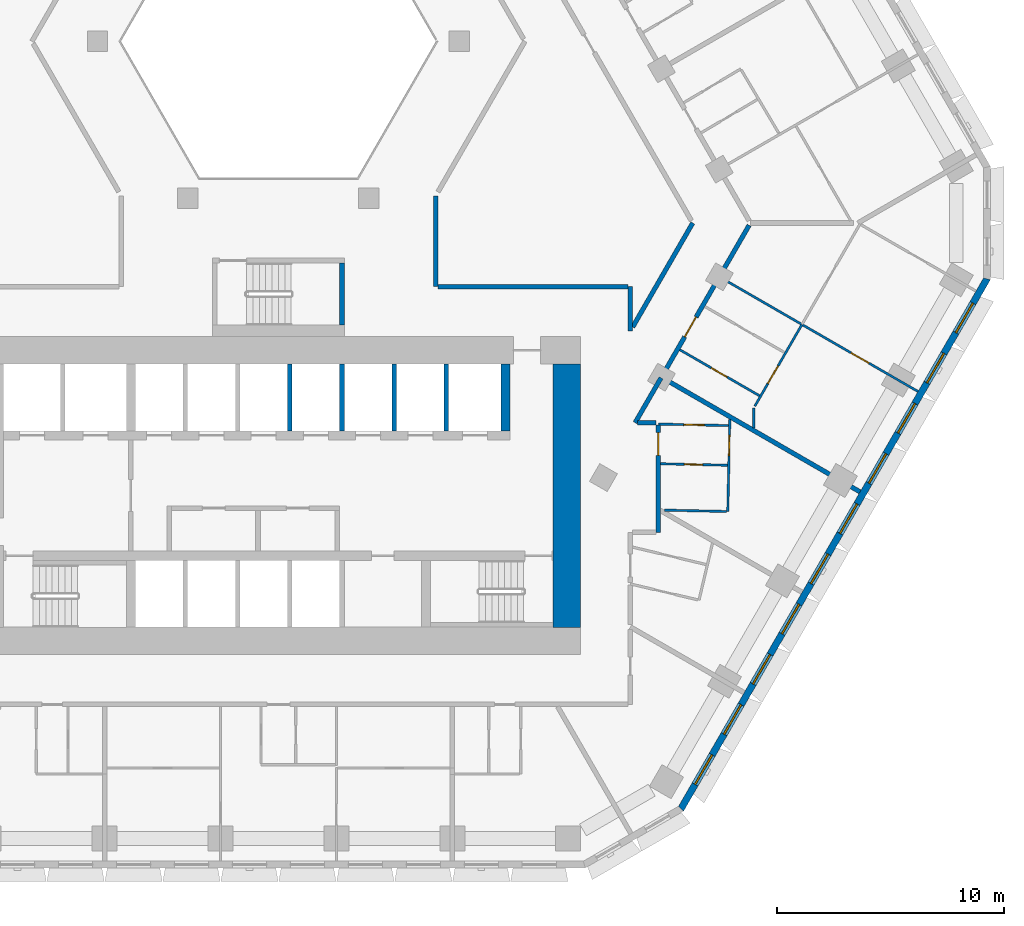
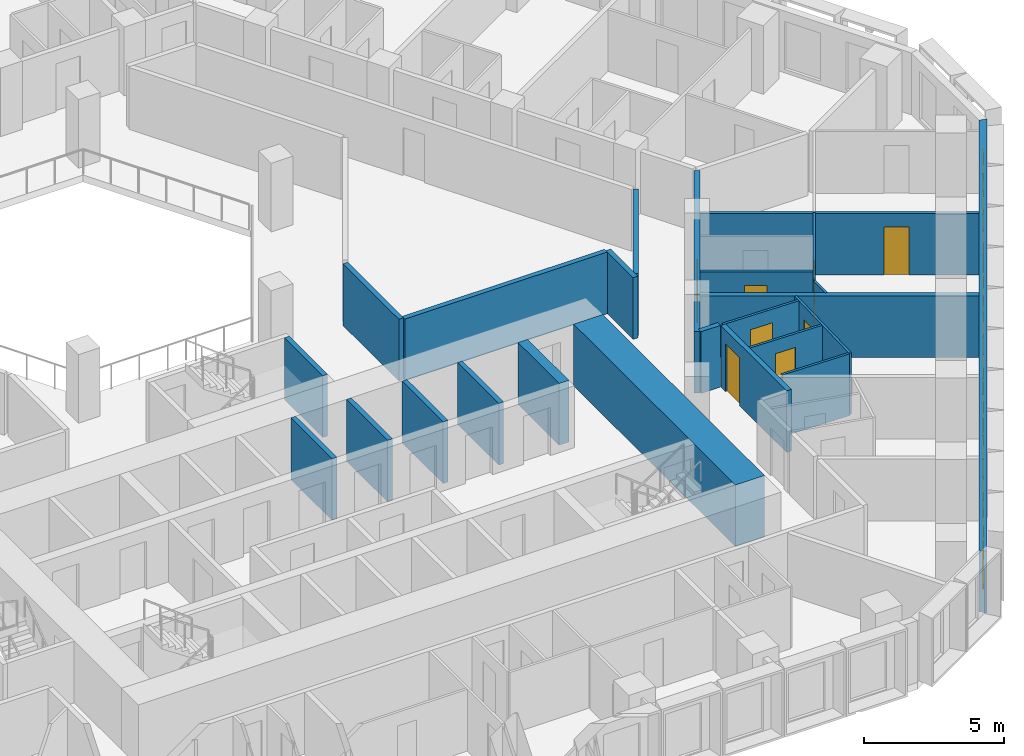
# One storey, part 7 of 21: 25 walls, 10 windows, 8 doors, 18 openings.
"""IFC4 building model written with IfcOpenShell, lengths in metres."""

from ifc_helpers import new_model, si_unit, direction, frame, frame_2d, origin, place, context, subcontext, project, spatial, polyline, rectangle, outline, extrude, material, layer, layer_set, type_object, element, fill, save


model = new_model("IFC4")

# Units and contexts
model_context = context("Model", 3, precision=1e-05, world=origin(), true_north=direction((0.0, 1.0)))
body_context = subcontext(model_context, "Body", "Model", "MODEL_VIEW")
ifc_project = project(units=[si_unit("LENGTHUNIT", "METRE"), si_unit("AREAUNIT", "SQUARE_METRE"), si_unit("VOLUMEUNIT", "CUBIC_METRE"), si_unit("PLANEANGLEUNIT", "RADIAN"), si_unit("MASSUNIT", "GRAM", prefix="KILO")], contexts=[model_context])

# Site, building, storey
site_placement = place(None, origin())
site = spatial("IfcSite", under=ifc_project, at=site_placement, CompositionType="ELEMENT")
building_placement = place(site_placement, origin())
building = spatial("IfcBuilding", under=site, at=building_placement, Name="Beryl Residences", CompositionType="ELEMENT")
storey_placement = place(building_placement, frame((0.0, 0.0, 41.39990234375)))
storey = spatial("IfcBuildingStorey", under=building, at=storey_placement, Name="L12", CompositionType="ELEMENT", Elevation=41.39990234375)

# Wall, openings, windows
ifc_material_1 = material(Name="Composite metal panel with mineral wool insulation")
ifc_layer_1 = layer(ifc_material_1, 0.300048828125)
ifc_layer_set_1 = layer_set([ifc_layer_1], Name="ES1 pale metal composite panel wall 300 mm")
wall_type_1 = type_object("IfcWallType", Name="ES1 pale metal composite panel wall 300 mm", PredefinedType="SOLIDWALL", material=ifc_layer_set_1)
wall_1_placement = place(storey_placement, frame((17.7099609375, -25.824951171875, 0.0), z_axis=(0.0, 0.0, 1.0), x_axis=(0.500001938803, 0.866024284413, 0.0)))
wall_1 = element("IfcWall", 1, at=wall_1_placement, inside=storey, type_object=wall_type_1, Name="ES1 external wall L12 SE", PredefinedType="SOLIDWALL", context=body_context, shape_type="SweptSolid", body=[
    extrude(outline(polyline([(0.0, -0.14990234375), (27.02001953125, -0.14990234375), (26.939697265625, 0.14990234375), (0.080322265625, 0.14990234375), (0.0, -0.14990234375)])), origin(), (0.0, 0.0, 1.0), 2.7001953125),
])
opening_1_placement = place(wall_1_placement, frame((1.277099609375, 0.0, 0.14990234375)))
opening_1 = element("IfcOpeningElement", 2, at=opening_1_placement, cuts=wall_1, Name="Opening W1", PredefinedType="OPENING", context=body_context, shape_type="SweptSolid", body=[
    extrude(rectangle(XDim=1.5, YDim=2.10009765625, at=frame_2d((0.75, 1.050048828125))), frame((0.0, 0.159912109375, 0.0), z_axis=(0.0, -1.0, 0.0), x_axis=(1.0, 0.0, 0.0)), (0.0, 0.0, 1.0), 0.320068359375),
])
opening_2_placement = place(wall_1_placement, frame((3.8291015625, 0.0, 0.14990234375)))
opening_2 = element("IfcOpeningElement", 3, at=opening_2_placement, cuts=wall_1, Name="Opening W1", PredefinedType="OPENING", context=body_context, shape_type="SweptSolid", body=[
    extrude(rectangle(XDim=1.5, YDim=2.10009765625, at=frame_2d((0.75, 1.050048828125))), frame((0.0, 0.159912109375, 0.0), z_axis=(0.0, -1.0, 0.0), x_axis=(1.0, 0.0, 0.0)), (0.0, 0.0, 1.0), 0.320068359375),
])
opening_3_placement = place(wall_1_placement, frame((6.382080078125, 0.0, 0.14990234375)))
opening_3 = element("IfcOpeningElement", 4, at=opening_3_placement, cuts=wall_1, Name="Opening W1", PredefinedType="OPENING", context=body_context, shape_type="SweptSolid", body=[
    extrude(rectangle(XDim=1.5, YDim=2.10009765625, at=frame_2d((0.75, 1.050048828125))), frame((0.0, 0.159912109375, 0.0), z_axis=(0.0, -1.0, 0.0), x_axis=(1.0, 0.0, 0.0)), (0.0, 0.0, 1.0), 0.320068359375),
])
opening_4_placement = place(wall_1_placement, frame((8.93310546875, 0.0, 0.14990234375)))
opening_4 = element("IfcOpeningElement", 5, at=opening_4_placement, cuts=wall_1, Name="Opening W1", PredefinedType="OPENING", context=body_context, shape_type="SweptSolid", body=[
    extrude(rectangle(XDim=1.5, YDim=2.10009765625, at=frame_2d((0.75, 1.050048828125))), frame((0.0, 0.159912109375, 0.0), z_axis=(0.0, -1.0, 0.0), x_axis=(1.0, 0.0, 0.0)), (0.0, 0.0, 1.0), 0.320068359375),
])
opening_5_placement = place(wall_1_placement, frame((11.485107421875, 0.0, 0.14990234375)))
opening_5 = element("IfcOpeningElement", 6, at=opening_5_placement, cuts=wall_1, Name="Opening W1", PredefinedType="OPENING", context=body_context, shape_type="SweptSolid", body=[
    extrude(rectangle(XDim=1.5, YDim=2.10009765625, at=frame_2d((0.75, 1.050048828125))), frame((0.0, 0.159912109375, 0.0), z_axis=(0.0, -1.0, 0.0), x_axis=(1.0, 0.0, 0.0)), (0.0, 0.0, 1.0), 0.320068359375),
])
opening_6_placement = place(wall_1_placement, frame((14.037109375, 0.0, 0.14990234375)))
opening_6 = element("IfcOpeningElement", 7, at=opening_6_placement, cuts=wall_1, Name="Opening W1", PredefinedType="OPENING", context=body_context, shape_type="SweptSolid", body=[
    extrude(rectangle(XDim=1.5, YDim=2.10009765625, at=frame_2d((0.75, 1.050048828125))), frame((0.0, 0.159912109375, 0.0), z_axis=(0.0, -1.0, 0.0), x_axis=(1.0, 0.0, 0.0)), (0.0, 0.0, 1.0), 0.320068359375),
])
opening_7_placement = place(wall_1_placement, frame((16.589111328125, 0.0, 0.14990234375)))
opening_7 = element("IfcOpeningElement", 8, at=opening_7_placement, cuts=wall_1, Name="Opening W1", PredefinedType="OPENING", context=body_context, shape_type="SweptSolid", body=[
    extrude(rectangle(XDim=1.5, YDim=2.10009765625, at=frame_2d((0.75, 1.050048828125))), frame((0.0, 0.159912109375, 0.0), z_axis=(0.0, -1.0, 0.0), x_axis=(1.0, 0.0, 0.0)), (0.0, 0.0, 1.0), 0.320068359375),
])
opening_8_placement = place(wall_1_placement, frame((19.14111328125, 0.0, 0.14990234375)))
opening_8 = element("IfcOpeningElement", 9, at=opening_8_placement, cuts=wall_1, Name="Opening W1", PredefinedType="OPENING", context=body_context, shape_type="SweptSolid", body=[
    extrude(rectangle(XDim=1.5, YDim=2.10009765625, at=frame_2d((0.75, 1.050048828125))), frame((0.0, 0.159912109375, 0.0), z_axis=(0.0, -1.0, 0.0), x_axis=(1.0, 0.0, 0.0)), (0.0, 0.0, 1.0), 0.320068359375),
])
opening_9_placement = place(wall_1_placement, frame((21.693115234375, 0.0, 0.14990234375)))
opening_9 = element("IfcOpeningElement", 10, at=opening_9_placement, cuts=wall_1, Name="Opening W1", PredefinedType="OPENING", context=body_context, shape_type="SweptSolid", body=[
    extrude(rectangle(XDim=1.5, YDim=2.10009765625, at=frame_2d((0.75, 1.050048828125))), frame((0.0, 0.159912109375, 0.0), z_axis=(0.0, -1.0, 0.0), x_axis=(1.0, 0.0, 0.0)), (0.0, 0.0, 1.0), 0.320068359375),
])
opening_10_placement = place(wall_1_placement, frame((24.243896484375, 0.0, 0.14990234375)))
opening_10 = element("IfcOpeningElement", 11, at=opening_10_placement, cuts=wall_1, Name="Opening W1", PredefinedType="OPENING", context=body_context, shape_type="SweptSolid", body=[
    extrude(rectangle(XDim=1.5, YDim=2.10009765625, at=frame_2d((0.75, 1.050048828125))), frame((0.0, 0.159912109375, 0.0), z_axis=(0.0, -1.0, 0.0), x_axis=(1.0, 0.0, 0.0)), (0.0, 0.0, 1.0), 0.320068359375),
])
ifc_material_2 = material(Name="Aluminium and clear glass", Category="aluminium")
window_type = type_object("IfcWindowType", Name="W1 cell window 1500 x 2100 mm", PartitioningType="SINGLE_PANEL", PredefinedType="WINDOW", material=ifc_material_2)
window_1_placement = place(opening_1_placement, origin())
window_1 = element("IfcWindow", 12, at=window_1_placement, inside=storey, type_object=window_type, Name="W1 window L12 SE 1", OverallHeight=2.10009765625, OverallWidth=1.5, PartitioningType="SINGLE_PANEL", PredefinedType="WINDOW", context=body_context, shape_type="SweptSolid", body=[
    extrude(rectangle(XDim=1.5, YDim=2.10009765625, at=frame_2d((0.75, 1.050048828125))), frame((0.0, 0.030029296875, 0.0), z_axis=(0.0, -1.0, 0.0), x_axis=(1.0, 0.0, 0.0)), (0.0, 0.0, 1.0), 0.06005859375),
])
fill(opening_1, window_1)
window_2_placement = place(opening_2_placement, origin())
window_2 = element("IfcWindow", 13, at=window_2_placement, inside=storey, type_object=window_type, Name="W1 window L12 SE 2", OverallHeight=2.10009765625, OverallWidth=1.5, PartitioningType="SINGLE_PANEL", PredefinedType="WINDOW", context=body_context, shape_type="SweptSolid", body=[
    extrude(rectangle(XDim=1.5, YDim=2.10009765625, at=frame_2d((0.75, 1.050048828125))), frame((0.0, 0.030029296875, 0.0), z_axis=(0.0, -1.0, 0.0), x_axis=(1.0, 0.0, 0.0)), (0.0, 0.0, 1.0), 0.06005859375),
])
fill(opening_2, window_2)
window_3_placement = place(opening_3_placement, origin())
window_3 = element("IfcWindow", 14, at=window_3_placement, inside=storey, type_object=window_type, Name="W1 window L12 SE 3", OverallHeight=2.10009765625, OverallWidth=1.5, PartitioningType="SINGLE_PANEL", PredefinedType="WINDOW", context=body_context, shape_type="SweptSolid", body=[
    extrude(rectangle(XDim=1.5, YDim=2.10009765625, at=frame_2d((0.75, 1.050048828125))), frame((0.0, 0.030029296875, 0.0), z_axis=(0.0, -1.0, 0.0), x_axis=(1.0, 0.0, 0.0)), (0.0, 0.0, 1.0), 0.06005859375),
])
fill(opening_3, window_3)
window_4_placement = place(opening_4_placement, origin())
window_4 = element("IfcWindow", 15, at=window_4_placement, inside=storey, type_object=window_type, Name="W1 window L12 SE 4", OverallHeight=2.10009765625, OverallWidth=1.5, PartitioningType="SINGLE_PANEL", PredefinedType="WINDOW", context=body_context, shape_type="SweptSolid", body=[
    extrude(rectangle(XDim=1.5, YDim=2.10009765625, at=frame_2d((0.75, 1.050048828125))), frame((0.0, 0.030029296875, 0.0), z_axis=(0.0, -1.0, 0.0), x_axis=(1.0, 0.0, 0.0)), (0.0, 0.0, 1.0), 0.06005859375),
])
fill(opening_4, window_4)
window_5_placement = place(opening_5_placement, origin())
window_5 = element("IfcWindow", 16, at=window_5_placement, inside=storey, type_object=window_type, Name="W1 window L12 SE 5", OverallHeight=2.10009765625, OverallWidth=1.5, PartitioningType="SINGLE_PANEL", PredefinedType="WINDOW", context=body_context, shape_type="SweptSolid", body=[
    extrude(rectangle(XDim=1.5, YDim=2.10009765625, at=frame_2d((0.75, 1.050048828125))), frame((0.0, 0.030029296875, 0.0), z_axis=(0.0, -1.0, 0.0), x_axis=(1.0, 0.0, 0.0)), (0.0, 0.0, 1.0), 0.06005859375),
])
fill(opening_5, window_5)
window_6_placement = place(opening_6_placement, origin())
window_6 = element("IfcWindow", 17, at=window_6_placement, inside=storey, type_object=window_type, Name="W1 window L12 SE 6", OverallHeight=2.10009765625, OverallWidth=1.5, PartitioningType="SINGLE_PANEL", PredefinedType="WINDOW", context=body_context, shape_type="SweptSolid", body=[
    extrude(rectangle(XDim=1.5, YDim=2.10009765625, at=frame_2d((0.75, 1.050048828125))), frame((0.0, 0.030029296875, 0.0), z_axis=(0.0, -1.0, 0.0), x_axis=(1.0, 0.0, 0.0)), (0.0, 0.0, 1.0), 0.06005859375),
])
fill(opening_6, window_6)
window_7_placement = place(opening_7_placement, origin())
window_7 = element("IfcWindow", 18, at=window_7_placement, inside=storey, type_object=window_type, Name="W1 window L12 SE 7", OverallHeight=2.10009765625, OverallWidth=1.5, PartitioningType="SINGLE_PANEL", PredefinedType="WINDOW", context=body_context, shape_type="SweptSolid", body=[
    extrude(rectangle(XDim=1.5, YDim=2.10009765625, at=frame_2d((0.75, 1.050048828125))), frame((0.0, 0.030029296875, 0.0), z_axis=(0.0, -1.0, 0.0), x_axis=(1.0, 0.0, 0.0)), (0.0, 0.0, 1.0), 0.06005859375),
])
fill(opening_7, window_7)
window_8_placement = place(opening_8_placement, origin())
window_8 = element("IfcWindow", 19, at=window_8_placement, inside=storey, type_object=window_type, Name="W1 window L12 SE 8", OverallHeight=2.10009765625, OverallWidth=1.5, PartitioningType="SINGLE_PANEL", PredefinedType="WINDOW", context=body_context, shape_type="SweptSolid", body=[
    extrude(rectangle(XDim=1.5, YDim=2.10009765625, at=frame_2d((0.75, 1.050048828125))), frame((0.0, 0.030029296875, 0.0), z_axis=(0.0, -1.0, 0.0), x_axis=(1.0, 0.0, 0.0)), (0.0, 0.0, 1.0), 0.06005859375),
])
fill(opening_8, window_8)
window_9_placement = place(opening_9_placement, origin())
window_9 = element("IfcWindow", 20, at=window_9_placement, inside=storey, type_object=window_type, Name="W1 window L12 SE 9", OverallHeight=2.10009765625, OverallWidth=1.5, PartitioningType="SINGLE_PANEL", PredefinedType="WINDOW", context=body_context, shape_type="SweptSolid", body=[
    extrude(rectangle(XDim=1.5, YDim=2.10009765625, at=frame_2d((0.75, 1.050048828125))), frame((0.0, 0.030029296875, 0.0), z_axis=(0.0, -1.0, 0.0), x_axis=(1.0, 0.0, 0.0)), (0.0, 0.0, 1.0), 0.06005859375),
])
fill(opening_9, window_9)
window_10_placement = place(opening_10_placement, origin())
window_10 = element("IfcWindow", 21, at=window_10_placement, inside=storey, type_object=window_type, Name="W1 window L12 SE 10", OverallHeight=2.10009765625, OverallWidth=1.5, PartitioningType="SINGLE_PANEL", PredefinedType="WINDOW", context=body_context, shape_type="SweptSolid", body=[
    extrude(rectangle(XDim=1.5, YDim=2.10009765625, at=frame_2d((0.75, 1.050048828125))), frame((0.0, 0.030029296875, 0.0), z_axis=(0.0, -1.0, 0.0), x_axis=(1.0, 0.0, 0.0)), (0.0, 0.0, 1.0), 0.06005859375),
])
fill(opening_10, window_10)

# Wall, opening, door
ifc_material_3 = material(Name="Gypsum board partition on steel studs", Category="steel")
ifc_layer_2 = layer(ifc_material_3, 0.10009765625)
ifc_layer_set_2 = layer_set([ifc_layer_2], Name="PT1 partition 100 mm gypsum board on steel studs")
wall_type_2 = type_object("IfcWallType", Name="PT1 partition 100 mm gypsum board on steel studs", PredefinedType="PARTITIONING", material=ifc_layer_set_2)
wall_2_placement = place(storey_placement, frame((16.72802734375, -8.85302734375, 0.0), z_axis=(0.0, 0.0, 1.0), x_axis=(0.999759332126, -0.021938045176, 0.0)))
wall_2 = element("IfcWall", 22, at=wall_2_placement, inside=storey, type_object=wall_type_2, Name="Wall PT1 L12 017", PredefinedType="PARTITIONING", context=body_context, shape_type="SweptSolid", body=[
    extrude(rectangle(XDim=3.09375, YDim=0.10009765625, at=frame_2d((1.546875, 0.0))), origin(), (0.0, 0.0, 1.0), 2.7001953125),
])
opening_11_placement = place(wall_2_placement, frame((1.1220703125, 0.0, 0.0)))
opening_11 = element("IfcOpeningElement", 23, at=opening_11_placement, cuts=wall_2, Name="Opening D0241", PredefinedType="OPENING", context=body_context, shape_type="SweptSolid", body=[
    extrude(rectangle(XDim=0.89990234375, YDim=2.10009765625, at=frame_2d((0.449951171875, 1.050048828125))), frame((0.0, 0.06005859375, 0.0), z_axis=(0.0, -1.0, 0.0), x_axis=(1.0, 0.0, 0.0)), (0.0, 0.0, 1.0), 0.1201171875),
])
ifc_material_4 = material(Name="Timber door leaf", Category="wood")
door_type_1 = type_object("IfcDoorType", Name="D2 room door 900 x 2100 mm", OperationType="SINGLE_SWING_LEFT", PredefinedType="DOOR", material=ifc_material_4)
door_1_placement = place(opening_11_placement, origin())
door_1 = element("IfcDoor", 24, at=door_1_placement, inside=storey, type_object=door_type_1, Name="Door D0241 L12 001", OperationType="SINGLE_SWING_LEFT", OverallHeight=2.10009765625, OverallWidth=0.89990234375, PredefinedType="DOOR", context=body_context, shape_type="SweptSolid", body=[
    extrude(rectangle(XDim=0.89990234375, YDim=2.10009765625, at=frame_2d((0.449951171875, 1.050048828125))), frame((0.0, 0.02490234375, 0.0), z_axis=(0.0, -1.0, 0.0), x_axis=(1.0, 0.0, 0.0)), (0.0, 0.0, 1.0), 0.050048828125),
])
fill(opening_11, door_1)

wall_3_placement = place(storey_placement, frame((16.827880859375, -10.60107421875, 0.0), z_axis=(0.0, 0.0, 1.0), x_axis=(0.999751134527, -0.02230849639, 0.0)))
wall_3 = element("IfcWall", 25, at=wall_3_placement, inside=storey, type_object=wall_type_2, Name="Wall PT1 L12 018", PredefinedType="PARTITIONING", context=body_context, shape_type="SweptSolid", body=[
    extrude(rectangle(XDim=2.954833984375, YDim=0.10009765625, at=frame_2d((1.4775390625, 0.0))), origin(), (0.0, 0.0, 1.0), 2.7001953125),
])
opening_12_placement = place(wall_3_placement, frame((1.052978515625, 0.0, 0.0)))
opening_12 = element("IfcOpeningElement", 26, at=opening_12_placement, cuts=wall_3, Name="Opening D0242", PredefinedType="OPENING", context=body_context, shape_type="SweptSolid", body=[
    extrude(rectangle(XDim=0.800048828125, YDim=2.10009765625, at=frame_2d((0.39990234375, 1.050048828125))), frame((0.0, 0.06005859375, 0.0), z_axis=(0.0, -1.0, 0.0), x_axis=(1.0, 0.0, 0.0)), (0.0, 0.0, 1.0), 0.1201171875),
])
ifc_material_5 = material(Name="Timber door leaf", Category="wood")
door_type_2 = type_object("IfcDoorType", Name="D3 bathroom door 800 x 2100 mm", OperationType="SINGLE_SWING_LEFT", PredefinedType="DOOR", material=ifc_material_5)
door_2_placement = place(opening_12_placement, origin())
door_2 = element("IfcDoor", 27, at=door_2_placement, inside=storey, type_object=door_type_2, Name="Door D0242 L12 001", OperationType="SINGLE_SWING_RIGHT", OverallHeight=2.10009765625, OverallWidth=0.800048828125, PredefinedType="DOOR", context=body_context, shape_type="SweptSolid", body=[
    extrude(rectangle(XDim=0.800048828125, YDim=2.10009765625, at=frame_2d((0.39990234375, 1.050048828125))), frame((0.0, 0.02490234375, 0.0), z_axis=(0.0, -1.0, 0.0), x_axis=(1.0, 0.0, 0.0)), (0.0, 0.0, 1.0), 0.050048828125),
])
fill(opening_12, door_2)

# Wall
wall_4_placement = place(storey_placement, frame((16.99609375, -12.64208984375, 0.0), z_axis=(0.0, 0.0, 1.0), x_axis=(0.999754143854, -0.022173223641, 0.0)))
element("IfcWall", 28, at=wall_4_placement, inside=storey, type_object=wall_type_2, Name="Wall PT1 L12 019", PredefinedType="PARTITIONING", context=body_context, shape_type="SweptSolid", body=[
    extrude(rectangle(XDim=2.74169921875, YDim=0.10009765625, at=frame_2d((1.370849609375, 0.0))), origin(), (0.0, 0.0, 1.0), 2.7001953125),
])

# Wall, opening, door
wall_5_placement = place(storey_placement, frame((17.677001953125, -5.58203125, 0.0), z_axis=(0.0, 0.0, 1.0), x_axis=(0.866015917575, -0.500016430238, 0.0)))
wall_5 = element("IfcWall", 29, at=wall_5_placement, inside=storey, type_object=wall_type_2, Name="Wall PT1 L12 022", PredefinedType="PARTITIONING", context=body_context, shape_type="SweptSolid", body=[
    extrude(rectangle(XDim=4.049560546875, YDim=0.10009765625, at=frame_2d((2.02490234375, 0.0))), origin(), (0.0, 0.0, 1.0), 2.7001953125),
])
opening_13_placement = place(wall_5_placement, frame((1.60009765625, 0.0, 0.0)))
opening_13 = element("IfcOpeningElement", 30, at=opening_13_placement, cuts=wall_5, Name="Opening D0245", PredefinedType="OPENING", context=body_context, shape_type="SweptSolid", body=[
    extrude(rectangle(XDim=0.800048828125, YDim=2.10009765625, at=frame_2d((0.39990234375, 1.050048828125))), frame((0.0, 0.06005859375, 0.0), z_axis=(0.0, -1.0, 0.0), x_axis=(1.0, 0.0, 0.0)), (0.0, 0.0, 1.0), 0.1201171875),
])
door_3_placement = place(opening_13_placement, origin())
door_3 = element("IfcDoor", 31, at=door_3_placement, inside=storey, type_object=door_type_2, Name="Door D0245 L12 001", OperationType="SINGLE_SWING_LEFT", OverallHeight=2.10009765625, OverallWidth=0.800048828125, PredefinedType="DOOR", context=body_context, shape_type="SweptSolid", body=[
    extrude(rectangle(XDim=0.800048828125, YDim=2.10009765625, at=frame_2d((0.39990234375, 1.050048828125))), frame((0.0, 0.02490234375, 0.0), z_axis=(0.0, -1.0, 0.0), x_axis=(1.0, 0.0, 0.0)), (0.0, 0.0, 1.0), 0.050048828125),
])
fill(opening_13, door_3)

wall_6_placement = place(storey_placement, frame((19.5029296875, -2.4189453125, 0.0), z_axis=(0.0, 0.0, 1.0), x_axis=(0.866047370643, -0.499961950354, 0.0)))
wall_6 = element("IfcWall", 32, at=wall_6_placement, inside=storey, type_object=wall_type_2, Name="Wall PT1 L12 025", PredefinedType="PARTITIONING", context=body_context, shape_type="SweptSolid", body=[
    extrude(rectangle(XDim=10.000732421875, YDim=0.10009765625, at=frame_2d((5.00048828125, 0.0))), origin(), (0.0, 0.0, 1.0), 2.7001953125),
])
opening_14_placement = place(wall_6_placement, frame((6.60009765625, 0.0, 0.0)))
opening_14 = element("IfcOpeningElement", 33, at=opening_14_placement, cuts=wall_6, Name="Opening D0248", PredefinedType="OPENING", context=body_context, shape_type="SweptSolid", body=[
    extrude(rectangle(XDim=0.89990234375, YDim=2.10009765625, at=frame_2d((0.449951171875, 1.050048828125))), frame((0.0, 0.06005859375, 0.0), z_axis=(0.0, -1.0, 0.0), x_axis=(1.0, 0.0, 0.0)), (0.0, 0.0, 1.0), 0.1201171875),
])
door_4_placement = place(opening_14_placement, origin())
door_4 = element("IfcDoor", 34, at=door_4_placement, inside=storey, type_object=door_type_1, Name="Door D0248 L12 001", OperationType="SINGLE_SWING_RIGHT", OverallHeight=2.10009765625, OverallWidth=0.89990234375, PredefinedType="DOOR", context=body_context, shape_type="SweptSolid", body=[
    extrude(rectangle(XDim=0.89990234375, YDim=2.10009765625, at=frame_2d((0.449951171875, 1.050048828125))), frame((0.0, 0.02490234375, 0.0), z_axis=(0.0, -1.0, 0.0), x_axis=(1.0, 0.0, 0.0)), (0.0, 0.0, 1.0), 0.050048828125),
])
fill(opening_14, door_4)

wall_7_placement = place(storey_placement, frame((20.97802734375, -8.06494140625, 0.0), z_axis=(0.0, 0.0, 1.0), x_axis=(0.499965068118, 0.866045570776, 0.0)))
wall_7 = element("IfcWall", 35, at=wall_7_placement, inside=storey, type_object=wall_type_2, Name="Wall PT1 L12 040", PredefinedType="PARTITIONING", context=body_context, shape_type="SweptSolid", body=[
    extrude(rectangle(XDim=4.152099609375, YDim=0.10009765625, at=frame_2d((2.076171875, 0.0))), origin(), (0.0, 0.0, 1.0), 2.7001953125),
])
opening_15_placement = place(wall_7_placement, frame((1.14990234375, 0.0, 0.0)))
opening_15 = element("IfcOpeningElement", 36, at=opening_15_placement, cuts=wall_7, Name="Opening D0247", PredefinedType="OPENING", context=body_context, shape_type="SweptSolid", body=[
    extrude(rectangle(XDim=0.89990234375, YDim=2.10009765625, at=frame_2d((0.449951171875, 1.050048828125))), frame((0.0, 0.06005859375, 0.0), z_axis=(0.0, -1.0, 0.0), x_axis=(1.0, 0.0, 0.0)), (0.0, 0.0, 1.0), 0.1201171875),
])
door_5_placement = place(opening_15_placement, origin())
door_5 = element("IfcDoor", 37, at=door_5_placement, inside=storey, type_object=door_type_1, Name="Door D0247 L12 001", OperationType="SINGLE_SWING_LEFT", OverallHeight=2.10009765625, OverallWidth=0.89990234375, PredefinedType="DOOR", context=body_context, shape_type="SweptSolid", body=[
    extrude(rectangle(XDim=0.89990234375, YDim=2.10009765625, at=frame_2d((0.449951171875, 1.050048828125))), frame((0.0, 0.02490234375, 0.0), z_axis=(0.0, -1.0, 0.0), x_axis=(1.0, 0.0, 0.0)), (0.0, 0.0, 1.0), 0.050048828125),
])
fill(opening_15, door_5)

wall_8_placement = place(storey_placement, frame((19.787109375, -12.7041015625, 0.0), z_axis=(0.0, 0.0, 1.0), x_axis=(0.02212326712, 0.999755250575, 0.0)))
wall_8 = element("IfcWall", 38, at=wall_8_placement, inside=storey, type_object=wall_type_2, Name="Wall PT1 L12 045", PredefinedType="PARTITIONING", context=body_context, shape_type="SweptSolid", body=[
    extrude(rectangle(XDim=4.06103515625, YDim=0.10009765625, at=frame_2d((2.030517578125, 0.0))), origin(), (0.0, 0.0, 1.0), 2.7001953125),
])
opening_16_placement = place(wall_8_placement, frame((2.4599609375, 0.0, 0.0)))
opening_16 = element("IfcOpeningElement", 39, at=opening_16_placement, cuts=wall_8, Name="Opening D0243", PredefinedType="OPENING", context=body_context, shape_type="SweptSolid", body=[
    extrude(rectangle(XDim=0.89990234375, YDim=2.10009765625, at=frame_2d((0.449951171875, 1.050048828125))), frame((0.0, 0.06005859375, 0.0), z_axis=(0.0, -1.0, 0.0), x_axis=(1.0, 0.0, 0.0)), (0.0, 0.0, 1.0), 0.1201171875),
])
door_6_placement = place(opening_16_placement, origin())
door_6 = element("IfcDoor", 40, at=door_6_placement, inside=storey, type_object=door_type_1, Name="Door D0243 L12 001", OperationType="SINGLE_SWING_LEFT", OverallHeight=2.10009765625, OverallWidth=0.89990234375, PredefinedType="DOOR", context=body_context, shape_type="SweptSolid", body=[
    extrude(rectangle(XDim=0.89990234375, YDim=2.10009765625, at=frame_2d((0.449951171875, 1.050048828125))), frame((0.0, 0.02490234375, 0.0), z_axis=(0.0, -1.0, 0.0), x_axis=(1.0, 0.0, 0.0)), (0.0, 0.0, 1.0), 0.050048828125),
])
fill(opening_16, door_6)

# Walls
wall_9_placement = place(storey_placement, frame((20.927978515625, -9.02001953125, 0.0), z_axis=(0.0, 0.0, 1.0), x_axis=(0.0, 1.0, 0.0)))
element("IfcWall", 41, at=wall_9_placement, inside=storey, type_object=wall_type_2, Name="Wall PT1 L12 051", PredefinedType="PARTITIONING", context=body_context, shape_type="SweptSolid", body=[
    extrude(rectangle(XDim=0.869140625, YDim=0.10009765625, at=frame_2d((0.4345703125, 0.0))), origin(), (0.0, 0.0, 1.0), 2.7001953125),
])
ifc_material_6 = material(Name="Acoustic double stud gypsum board wall")
ifc_layer_3 = layer(ifc_material_6, 0.199951171875)
ifc_layer_set_3 = layer_set([ifc_layer_3], Name="PT3 party wall 200 mm acoustic double stud")
wall_type_3 = type_object("IfcWallType", Name="PT3 party wall 200 mm acoustic double stud", PredefinedType="PARTITIONING", material=ifc_layer_set_3)
wall_10_placement = place(storey_placement, frame((16.916015625, -6.819091796875, 0.0), z_axis=(0.0, 0.0, 1.0), x_axis=(0.866028876723, -0.499993984646, 0.0)))
element("IfcWall", 42, at=wall_10_placement, inside=storey, type_object=wall_type_3, Name="Wall PT3 L12 013", PredefinedType="PARTITIONING", context=body_context, shape_type="SweptSolid", body=[
    extrude(rectangle(XDim=10.0400390625, YDim=0.199951171875, at=frame_2d((5.02001953125, 0.0))), origin(), (0.0, 0.0, 1.0), 2.7001953125),
])
ifc_material_7 = material(Name="Double stud gypsum board wall")
ifc_layer_4 = layer(ifc_material_7, 0.199951171875)
ifc_layer_set_4 = layer_set([ifc_layer_4], Name="PT4 corridor wall 200 mm double stud")
wall_type_4 = type_object("IfcWallType", Name="PT4 corridor wall 200 mm double stud", PredefinedType="PARTITIONING", material=ifc_layer_set_4)
wall_11_placement = place(storey_placement, frame((15.822021484375, -8.7939453125, 0.0), z_axis=(0.0, 0.0, 1.0), x_axis=(1.0, 0.0, 0.0)))
element("IfcWall", 43, at=wall_11_placement, inside=storey, type_object=wall_type_4, Name="Wall PT4 L12 011", PredefinedType="PARTITIONING", context=body_context, shape_type="SweptSolid", body=[
    extrude(rectangle(XDim=0.805908203125, YDim=0.199951171875, at=frame_2d((0.40283203125, 0.0))), origin(), (0.0, 0.0, 1.0), 2.7001953125),
])
wall_12_placement = place(storey_placement, frame((7.028076171875, -2.800048828125, 0.0), z_axis=(0.0, 0.0, 1.0), x_axis=(1.0, 0.0, 0.0)))
element("IfcWall", 44, at=wall_12_placement, inside=storey, type_object=wall_type_4, Name="Wall PT4 L12 016", PredefinedType="PARTITIONING", context=body_context, shape_type="SweptSolid", body=[
    extrude(rectangle(XDim=8.371826171875, YDim=0.199951171875, at=frame_2d((4.18603515625, 0.0))), origin(), (0.0, 0.0, 1.0), 2.7001953125),
])
wall_13_placement = place(storey_placement, frame((15.60009765625, -4.5791015625, 0.0), z_axis=(0.0, 0.0, 1.0), x_axis=(0.499927597274, 0.866067201483, 0.0)))
element("IfcWall", 45, at=wall_13_placement, inside=storey, type_object=wall_type_4, Name="Wall PT4 L12 021", PredefinedType="PARTITIONING", context=body_context, shape_type="SweptSolid", body=[
    extrude(rectangle(XDim=5.288330078125, YDim=0.199951171875, at=frame_2d((2.64404296875, 0.0))), origin(), (0.0, 0.0, 1.0), 2.7001953125),
])
wall_14_placement = place(storey_placement, frame((15.70703125, -8.7939453125, 0.0), z_axis=(0.0, 0.0, 1.0), x_axis=(0.500040469623, 0.866002037376, 0.0)))
element("IfcWall", 46, at=wall_14_placement, inside=storey, type_object=wall_type_4, Name="Wall PT4 L12 022", PredefinedType="PARTITIONING", context=body_context, shape_type="SweptSolid", body=[
    extrude(rectangle(XDim=2.281494140625, YDim=0.199951171875, at=frame_2d((1.140625, 0.0))), origin(), (0.0, 0.0, 1.0), 2.7001953125),
])

# Wall, opening, door
wall_15_placement = place(storey_placement, frame((16.864013671875, -6.7890625, 0.0), z_axis=(0.0, 0.0, 1.0), x_axis=(0.500058020612, 0.865991902977, 0.0)))
wall_15 = element("IfcWall", 47, at=wall_15_placement, inside=storey, type_object=wall_type_4, Name="Wall PT4 L12 023", PredefinedType="PARTITIONING", context=body_context, shape_type="SweptSolid", body=[
    extrude(rectangle(XDim=7.72509765625, YDim=0.199951171875, at=frame_2d((3.862548828125, 0.0))), origin(), (0.0, 0.0, 1.0), 2.7001953125),
])
opening_17_placement = place(wall_15_placement, frame((2.052001953125, 0.0, 0.0)))
opening_17 = element("IfcOpeningElement", 48, at=opening_17_placement, cuts=wall_15, Name="Opening D0244", PredefinedType="OPENING", context=body_context, shape_type="SweptSolid", body=[
    extrude(rectangle(XDim=1.0, YDim=2.10009765625, at=frame_2d((0.5, 1.050048828125))), frame((0.0, 0.10986328125, 0.0), z_axis=(0.0, -1.0, 0.0), x_axis=(1.0, 0.0, 0.0)), (0.0, 0.0, 1.0), 0.219970703125),
])
ifc_material_8 = material(Name="Timber door leaf", Category="wood")
door_type_3 = type_object("IfcDoorType", Name="D1 flat entrance door 1000 x 2100 mm", OperationType="SINGLE_SWING_LEFT", PredefinedType="DOOR", material=ifc_material_8)
door_7_placement = place(opening_17_placement, origin())
door_7 = element("IfcDoor", 49, at=door_7_placement, inside=storey, type_object=door_type_3, Name="Door D0244 L12 001", OperationType="SINGLE_SWING_RIGHT", OverallHeight=2.10009765625, OverallWidth=1.0, PredefinedType="DOOR", context=body_context, shape_type="SweptSolid", body=[
    extrude(rectangle(XDim=1.0, YDim=2.10009765625, at=frame_2d((0.5, 1.050048828125))), frame((0.0, 0.02490234375, 0.0), z_axis=(0.0, -1.0, 0.0), x_axis=(1.0, 0.0, 0.0)), (0.0, 0.0, 1.0), 0.050048828125),
])
fill(opening_17, door_7)

# Walls
wall_16_placement = place(storey_placement, frame((6.927978515625, -2.800048828125, 0.0), z_axis=(0.0, 0.0, 1.0), x_axis=(0.0, 1.0, 0.0)))
element("IfcWall", 50, at=wall_16_placement, inside=storey, type_object=wall_type_4, Name="Wall PT4 L12 027", PredefinedType="PARTITIONING", context=body_context, shape_type="SweptSolid", body=[
    extrude(rectangle(XDim=4.0, YDim=0.199951171875, at=frame_2d((2.0, 0.0))), origin(), (0.0, 0.0, 1.0), 2.7001953125),
])
wall_17_placement = place(storey_placement, frame((15.5, -4.751953125, 0.0), z_axis=(0.0, 0.0, 1.0), x_axis=(0.0, 1.0, 0.0)))
element("IfcWall", 51, at=wall_17_placement, inside=storey, type_object=wall_type_4, Name="Wall PT4 L12 030", PredefinedType="PARTITIONING", context=body_context, shape_type="SweptSolid", body=[
    extrude(rectangle(XDim=1.951904296875, YDim=0.199951171875, at=frame_2d((0.97607421875, 0.0))), origin(), (0.0, 0.0, 1.0), 2.7001953125),
])

# Wall, opening, door
wall_18_placement = place(storey_placement, frame((16.72802734375, -13.6240234375, 0.0), z_axis=(0.0, 0.0, 1.0), x_axis=(0.0, 1.0, 0.0)))
wall_18 = element("IfcWall", 52, at=wall_18_placement, inside=storey, type_object=wall_type_4, Name="Wall PT4 L12 031", PredefinedType="PARTITIONING", context=body_context, shape_type="SweptSolid", body=[
    extrude(rectangle(XDim=4.720947265625, YDim=0.199951171875, at=frame_2d((2.3603515625, 0.0))), origin(), (0.0, 0.0, 1.0), 2.7001953125),
])
opening_18_placement = place(wall_18_placement, frame((3.39697265625, 0.0, 0.0)))
opening_18 = element("IfcOpeningElement", 53, at=opening_18_placement, cuts=wall_18, Name="Opening D0240", PredefinedType="OPENING", context=body_context, shape_type="SweptSolid", body=[
    extrude(rectangle(XDim=1.0, YDim=2.10009765625, at=frame_2d((0.5, 1.050048828125))), frame((0.0, 0.10986328125, 0.0), z_axis=(0.0, -1.0, 0.0), x_axis=(1.0, 0.0, 0.0)), (0.0, 0.0, 1.0), 0.219970703125),
])
door_8_placement = place(opening_18_placement, origin())
door_8 = element("IfcDoor", 54, at=door_8_placement, inside=storey, type_object=door_type_3, Name="Door D0240 L12 001", OperationType="SINGLE_SWING_RIGHT", OverallHeight=2.10009765625, OverallWidth=1.0, PredefinedType="DOOR", context=body_context, shape_type="SweptSolid", body=[
    extrude(rectangle(XDim=1.0, YDim=2.10009765625, at=frame_2d((0.5, 1.050048828125))), frame((0.0, 0.02490234375, 0.0), z_axis=(0.0, -1.0, 0.0), x_axis=(1.0, 0.0, 0.0)), (0.0, 0.0, 1.0), 0.050048828125),
])
fill(opening_18, door_8)

# Walls
ifc_material_9 = material(Name="Concrete C40/50", Category="concrete")
ifc_layer_5 = layer(ifc_material_9, 0.199951171875)
ifc_layer_set_5 = layer_set([ifc_layer_5], Name="PT5 stair enclosure wall 200 mm reinforced concrete C40/50")
wall_type_5 = type_object("IfcWallType", Name="PT5 stair enclosure wall 200 mm reinforced concrete C40/50", PredefinedType="SOLIDWALL", material=ifc_layer_set_5)
wall_19_placement = place(storey_placement, frame((2.800048828125, -4.5, 0.0), z_axis=(0.0, 0.0, 1.0), x_axis=(0.0, 1.0, 0.0)))
element("IfcWall", 55, at=wall_19_placement, inside=storey, type_object=wall_type_5, Name="Wall PT5 L12 003", PredefinedType="SOLIDWALL", context=body_context, shape_type="SweptSolid", body=[
    extrude(rectangle(XDim=2.75, YDim=0.199951171875, at=frame_2d((1.375, 0.0))), origin(), (0.0, 0.0, 1.0), 2.7001953125),
])
ifc_material_10 = material(Name="Concrete C40/50", Category="concrete")
ifc_layer_6 = layer(ifc_material_10, 0.199951171875)
ifc_layer_set_6 = layer_set([ifc_layer_6], Name="PT6 lift shaft wall 200 mm reinforced concrete C40/50")
wall_type_6 = type_object("IfcWallType", Name="PT6 lift shaft wall 200 mm reinforced concrete C40/50", PredefinedType="SOLIDWALL", material=ifc_layer_set_6)
for number, where, z_axis, x_axis, name in (
    (56, (0.5, -9.14990234375, 0.0), (0.0, 0.0, 1.0), (0.0, 1.0, 0.0), "Lift shaft wall 15"),
    (57, (2.800048828125, -9.14990234375, 0.0), (0.0, 0.0, 1.0), (0.0, 1.0, 0.0), "Lift shaft wall 18"),
    (58, (5.10009765625, -9.14990234375, 0.0), (0.0, 0.0, 1.0), (0.0, 1.0, 0.0), "Lift shaft wall 19"),
    (59, (7.39990234375, -9.14990234375, 0.0), (0.0, 0.0, 1.0), (0.0, 1.0, 0.0), "Lift shaft wall 21"),
):
    element("IfcWall", number, at=place(storey_placement, frame(where, z_axis=z_axis, x_axis=x_axis)), inside=storey, type_object=wall_type_6, Name=name, PredefinedType="SOLIDWALL", context=body_context, shape_type="SweptSolid", body=[
        extrude(rectangle(XDim=2.949951171875, YDim=0.199951171875, at=frame_2d((1.47509765625, 0.0))), origin(), (0.0, 0.0, 1.0), 2.7001953125),
    ])
ifc_material_11 = material(Name="Concrete C80/95", Category="concrete")
ifc_layer_7 = layer(ifc_material_11, 1.199951171875)
ifc_layer_set_7 = layer_set([ifc_layer_7], Name="SW1 core outer wall 1200 mm C80/95")
wall_type_7 = type_object("IfcWallType", Name="SW1 core outer wall 1200 mm C80/95", PredefinedType="SHEAR", material=ifc_layer_set_7)
wall_20_placement = place(storey_placement, frame((12.699951171875, -17.800048828125, 0.0), z_axis=(0.0, 0.0, 1.0), x_axis=(0.0, 1.0, 0.0)))
element("IfcWall", 60, at=wall_20_placement, inside=storey, type_object=wall_type_7, Name="Core wall E L12", PredefinedType="SHEAR", context=body_context, shape_type="SweptSolid", body=[
    extrude(rectangle(XDim=11.60009765625, YDim=1.199951171875, at=frame_2d((5.800048828125, 0.0))), origin(), (0.0, 0.0, 1.0), 2.7001953125),
])
ifc_material_12 = material(Name="Concrete C80/95", Category="concrete")
ifc_layer_8 = layer(ifc_material_12, 0.39990234375)
ifc_layer_set_8 = layer_set([ifc_layer_8], Name="SW6 core internal wall 400 mm C80/95")
wall_type_8 = type_object("IfcWallType", Name="SW6 core internal wall 400 mm C80/95", PredefinedType="SHEAR", material=ifc_layer_set_8)
wall_21_placement = place(storey_placement, frame((10.0, -9.14990234375, 0.0), z_axis=(0.0, 0.0, 1.0), x_axis=(0.0, 1.0, 0.0)))
element("IfcWall", 61, at=wall_21_placement, inside=storey, type_object=wall_type_8, Name="Core wall XN2 L12", PredefinedType="SHEAR", context=body_context, shape_type="SweptSolid", body=[
    extrude(rectangle(XDim=2.949951171875, YDim=0.39990234375, at=frame_2d((1.47509765625, 0.0))), origin(), (0.0, 0.0, 1.0), 2.7001953125),
])

save(model, "model.ifc")
